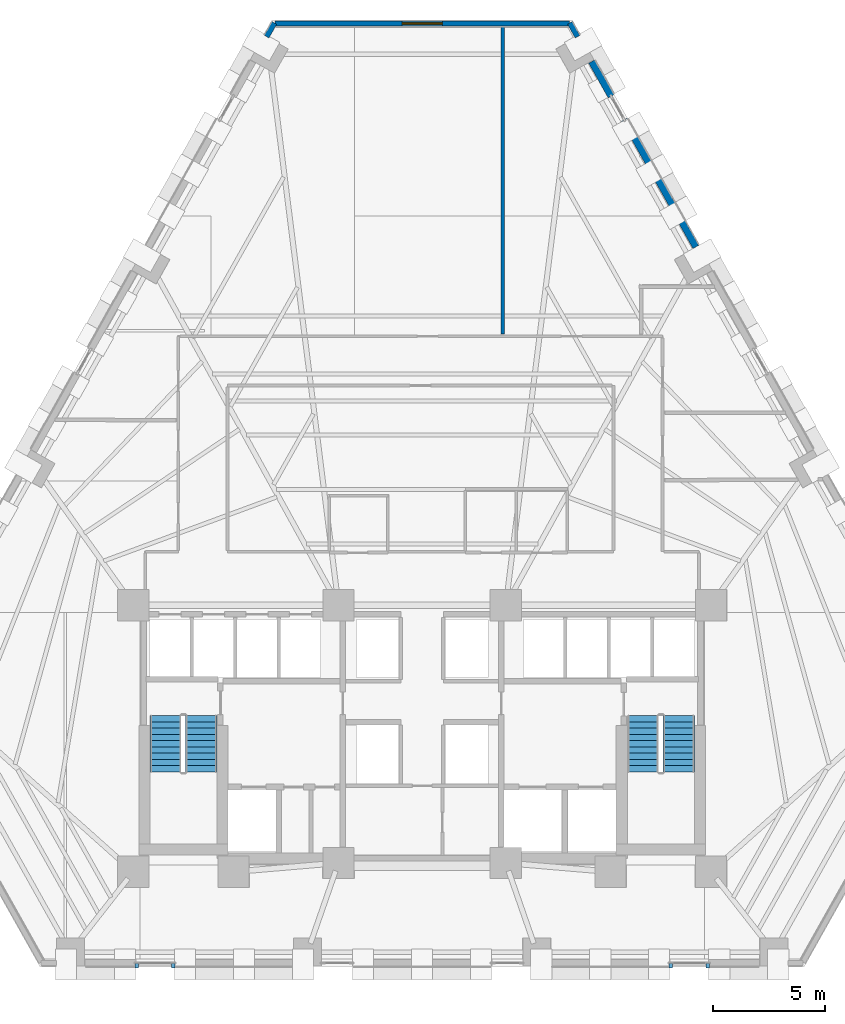
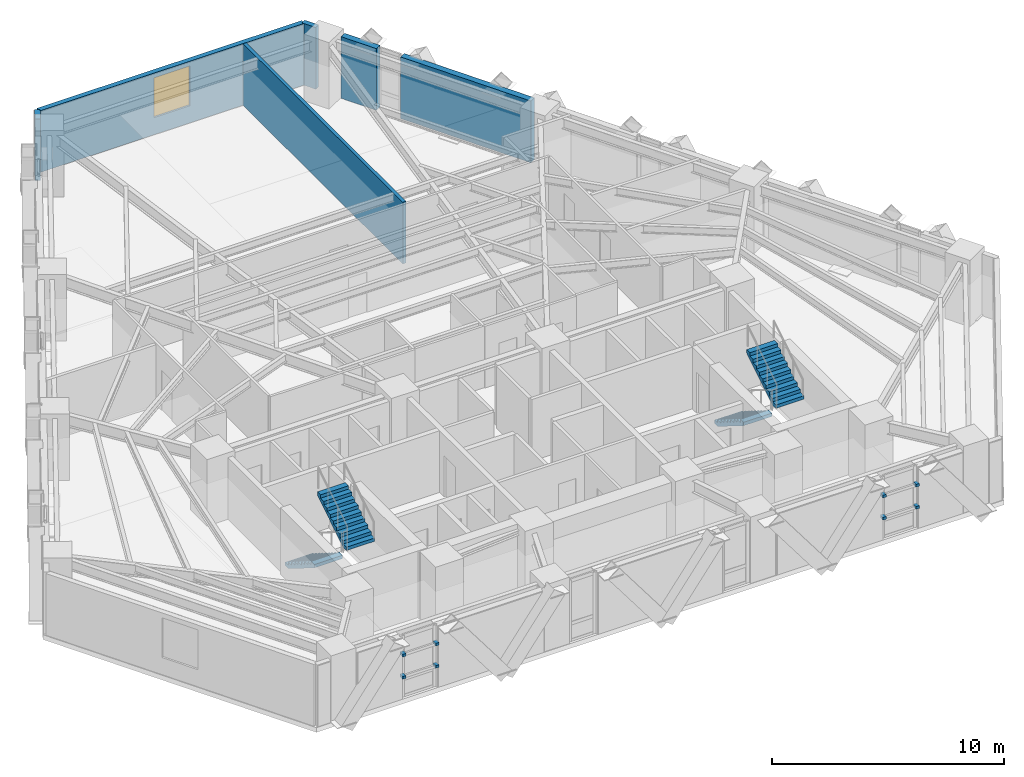
# One storey, part 9 of 13: 8 discrete accessories, 6 walls, 4 stair flights, 1 window, 1 opening, 2 elements without a shape of their own.
"""IFC4 building model written with IfcOpenShell, lengths in metres."""

from ifc_helpers import new_model, si_unit, direction, frame, frame_2d, origin, origin_2d, place, context, subcontext, project, spatial, polyline, rectangle, outline, extrude, material, layer, layer_set, type_object, element, fill, aggregate, save


model = new_model("IFC4")

# Units and contexts
model_context = context("Model", 3, precision=1e-05, world=origin(), true_north=direction((0.0, 1.0)))
body_context = subcontext(model_context, "Body", "Model", "MODEL_VIEW")
ifc_project = project(units=[si_unit("LENGTHUNIT", "METRE"), si_unit("AREAUNIT", "SQUARE_METRE"), si_unit("VOLUMEUNIT", "CUBIC_METRE"), si_unit("PLANEANGLEUNIT", "RADIAN"), si_unit("MASSUNIT", "GRAM", prefix="KILO")], contexts=[model_context])

# Site, building, storey
site_placement = place(None, origin())
site = spatial("IfcSite", under=ifc_project, at=site_placement, CompositionType="ELEMENT")
building_placement = place(site_placement, origin())
building = spatial("IfcBuilding", under=site, at=building_placement, Name="Quenlor Broadcast Tower", CompositionType="ELEMENT")
storey_placement = place(building_placement, frame((0.0, 0.0, 48.60009765625)))
storey = spatial("IfcBuildingStorey", under=building, at=storey_placement, Name="L12", CompositionType="ELEMENT", Elevation=48.60009765625)

# Walls
ifc_material_1 = material(Name="Gypsum Fireboard Partition", Category="other")
ifc_layer_1 = layer(ifc_material_1, 0.159912109375)
ifc_layer_set_1 = layer_set([ifc_layer_1], Name="Fire Rated Shaft and Corridor Partition 160")
wall_type_1 = type_object("IfcWallType", Name="Fire Rated Shaft and Corridor Partition 160", PredefinedType="PARTITIONING", material=ifc_layer_set_1)
wall_1_placement = place(storey_placement, frame((3.6201171875, 21.14990234375, 0.0), z_axis=(0.0, 0.0, 1.0), x_axis=(0.0, -1.0, 0.0)))
element("IfcWall", 1, at=wall_1_placement, inside=storey, type_object=wall_type_1, Name="L12 Interior Wall PW-DV-01", PredefinedType="PARTITIONING", context=body_context, shape_type="SweptSolid", body=[
    extrude(rectangle(XDim=13.789794921875, YDim=0.159912109375, at=frame_2d((6.89501953125, 0.0))), origin(), (0.0, 0.0, 1.0), 3.25),
])
ifc_material_2 = material(Name="Precast concrete C40/50", Category="concrete")
ifc_layer_2 = layer(ifc_material_2, 0.239990234375)
ifc_layer_set_2 = layer_set([ifc_layer_2], Name="Terrace Threshold Precast Concrete C40/50 Wall 240")
wall_type_2 = type_object("IfcWallType", Name="Terrace Threshold Precast Concrete C40/50 Wall 240", PredefinedType="STANDARD", material=ifc_layer_set_2)
for number, where, z_axis, x_axis, name in (
    (2, (6.621826171875, 21.30126953125, 0.0), (0.0, 0.0, 1.0), (0.490261239633, -0.871575537125, 0.0), "L12 Exterior Wall L12-SHD-NES0"),
    (3, (-6.968994140625, 20.68408203125, 0.0), (0.0, 0.0, 1.0), (0.490261239633, 0.871575537125, 0.0), "L12 Exterior Wall L12-SHD-NWS1"),
):
    element("IfcWall", number, at=place(storey_placement, frame(where, z_axis=z_axis, x_axis=x_axis)), inside=storey, type_object=wall_type_2, Name=name, PredefinedType="STANDARD", context=body_context, shape_type="SweptSolid", body=[
        extrude(rectangle(XDim=0.7080078125, YDim=0.239990234375, at=frame_2d((0.35400390625, 0.0))), origin(), (0.0, 0.0, 1.0), 3.25),
    ])

# Wall, opening, window
wall_2_placement = place(storey_placement, frame((6.598388671875, 21.27197265625, 0.0), z_axis=(0.0, 0.0, 1.0), x_axis=(-1.0, 0.0, 0.0)))
wall_2 = element("IfcWall", 4, at=wall_2_placement, inside=storey, type_object=wall_type_2, Name="L12 Exterior Wall L12-CNR-02", PredefinedType="STANDARD", context=body_context, shape_type="SweptSolid", body=[
    extrude(rectangle(XDim=13.186767578125, YDim=0.239990234375, at=frame_2d((6.59326171875, 0.0))), origin(), (0.0, 0.0, 1.0), 3.25),
])
opening_placement = place(wall_2_placement, frame((5.693115234375, 0.0, 0.89990234375)))
opening = element("IfcOpeningElement", 5, at=opening_placement, cuts=wall_2, Name="Opening WN-1", PredefinedType="OPENING", context=body_context, shape_type="SweptSolid", body=[
    extrude(rectangle(XDim=1.800048828125, YDim=2.10009765625, at=frame_2d((0.89990234375, 1.050048828125))), frame((0.0, 0.1298828125, 0.0), z_axis=(0.0, -1.0, 0.0), x_axis=(1.0, 0.0, 0.0)), (0.0, 0.0, 1.0), 0.260009765625),
])
ifc_material_3 = material(Name="Thermally Broken Aluminium and Low-E Glass", Category="aluminium")
window_type = type_object("IfcWindowType", Name="Tower Acoustic Vision Window 1800x2100", PartitioningType="SINGLE_PANEL", PredefinedType="WINDOW", material=ifc_material_3)
window_placement = place(opening_placement, origin())
window = element("IfcWindow", 6, at=window_placement, inside=storey, type_object=window_type, Name="L12 Corner Chamfer Window 2", OverallHeight=2.10009765625, OverallWidth=1.800048828125, PartitioningType="SINGLE_PANEL", PredefinedType="WINDOW", context=body_context, shape_type="SweptSolid", body=[
    extrude(rectangle(XDim=1.800048828125, YDim=2.10009765625, at=frame_2d((0.89990234375, 1.050048828125))), frame((0.0, 0.030029296875, 0.0), z_axis=(0.0, -1.0, 0.0), x_axis=(1.0, 0.0, 0.0)), (0.0, 0.0, 1.0), 0.06005859375),
])
fill(opening, window)

# Walls
ifc_material_4 = material(Name="Precast concrete C40/50", Category="concrete")
ifc_layer_3 = layer(ifc_material_4, 0.300048828125)
ifc_layer_set_3 = layer_set([ifc_layer_3], Name="Terracotta Precast Concrete C40/50 Spandrel Wall 300")
wall_type_3 = type_object("IfcWallType", Name="Terracotta Precast Concrete C40/50 Spandrel Wall 300", PredefinedType="STANDARD", material=ifc_layer_set_3)
wall_3_placement = place(storey_placement, frame((7.5966796875, 19.568603515625, 0.0), z_axis=(0.0, 0.0, 1.0), x_axis=(0.490183206509, -0.871619426158, 0.0)))
element("IfcWall", 7, at=wall_3_placement, inside=storey, type_object=wall_type_3, Name="L12 Exterior Wall L12-NEA-SP1", PredefinedType="STANDARD", context=body_context, shape_type="SweptSolid", body=[
    extrude(rectangle(XDim=1.782470703125, YDim=0.300048828125, at=frame_2d((0.89111328125, 0.0))), origin(), (0.0, 0.0, 1.0), 3.25),
])
wall_4_placement = place(storey_placement, frame((9.0634765625, 16.9609375, 0.0), z_axis=(0.0, 0.0, 1.0), x_axis=(0.490261239633, -0.871575537125, 0.0)))
element("IfcWall", 8, at=wall_4_placement, inside=storey, type_object=wall_type_3, Name="L12 Exterior Wall L12-NEA-SP2", PredefinedType="STANDARD", context=body_context, shape_type="SweptSolid", body=[
    extrude(rectangle(XDim=6.54345703125, YDim=0.300048828125, at=frame_2d((3.271728515625, 0.0))), origin(), (0.0, 0.0, 1.0), 3.25),
])

# Stair, stair flights
ifc_material_5 = material(Name="Precast concrete C40/50", Category="concrete")
stair_type = type_object("IfcStairType", Name="Precast Concrete C40/50 Dogleg Stair H350", PredefinedType="HALF_TURN_STAIR", material=ifc_material_5)
stair_1_placement = place(storey_placement, origin())
stair_1 = element("IfcStair", 9, at=stair_1_placement, inside=storey, type_object=stair_type, Name="L12 West Core Fire-Isolated Exit Stair ST-1", PredefinedType="HALF_TURN_STAIR")
ifc_material_6 = material(Name="Precast concrete C40/50", Category="concrete")
ifc_layer_4 = layer(ifc_material_6, 0.159912109375)
ifc_layer_set_4 = layer_set([ifc_layer_4], Name="Precast Concrete C40/50 Stair Flight H350")
stair_flight_type = type_object("IfcStairFlightType", Name="Precast Concrete C40/50 Stair Flight H350", PredefinedType="STRAIGHT", material=ifc_layer_set_4)
stair_flight_1_placement = place(storey_placement, frame((-11.5, -9.75, 0.0), z_axis=(0.0, 0.0, 1.0), x_axis=(0.0, -1.0, 0.0)))
stair_flight_1 = element("IfcStairFlight", 10, at=stair_flight_1_placement, type_object=stair_flight_type, Name="ST-1 flight 1", NumberOfRisers=10, NumberOfTreads=9, PredefinedType="STRAIGHT", RiserHeight=0.175, TreadLength=0.28, context=body_context, shape_type="SweptSolid", body=[
    extrude(outline(polyline([(0.0, 0.0), (0.0, 0.175048828125), (0.280029296875, 0.175048828125), (0.280029296875, 0.35009765625), (0.56005859375, 0.35009765625), (0.56005859375, 0.52490234375), (0.840087890625, 0.52490234375), (0.840087890625, 0.699951171875), (1.1201171875, 0.699951171875), (1.1201171875, 0.875), (1.39990234375, 0.875), (1.39990234375, 1.050048828125), (1.679931640625, 1.050048828125), (1.679931640625, 1.22509765625), (1.9599609375, 1.22509765625), (1.9599609375, 1.39990234375), (2.239990234375, 1.39990234375), (2.239990234375, 1.574951171875), (2.52001953125, 1.574951171875), (2.52001953125, 1.75), (2.52001953125, 1.398193359375), (0.28271484375, 0.0), (0.0, 0.0)])), frame((0.0, 0.699951171875, 0.0), z_axis=(0.0, -1.0, 0.0), x_axis=(1.0, 0.0, 0.0)), (0.0, 0.0, 1.0), 1.39990234375),
])
stair_flight_2_placement = place(storey_placement, frame((-9.89990234375, -12.27001953125, 1.75), z_axis=(0.0, 0.0, 1.0), x_axis=(0.0, 1.0, 0.0)))
stair_flight_2 = element("IfcStairFlight", 11, at=stair_flight_2_placement, type_object=stair_flight_type, Name="ST-1 flight 2", NumberOfRisers=10, NumberOfTreads=9, PredefinedType="STRAIGHT", RiserHeight=0.175, TreadLength=0.28, context=body_context, shape_type="SweptSolid", body=[
    extrude(outline(polyline([(0.0, 0.0), (0.0, 0.175048828125), (0.280029296875, 0.175048828125), (0.280029296875, 0.35009765625), (0.56005859375, 0.35009765625), (0.56005859375, 0.52490234375), (0.840087890625, 0.52490234375), (0.840087890625, 0.699951171875), (1.1201171875, 0.699951171875), (1.1201171875, 0.875), (1.39990234375, 0.875), (1.39990234375, 1.050048828125), (1.679931640625, 1.050048828125), (1.679931640625, 1.22509765625), (1.9599609375, 1.22509765625), (1.9599609375, 1.39990234375), (2.239990234375, 1.39990234375), (2.239990234375, 1.574951171875), (2.52001953125, 1.574951171875), (2.52001953125, 1.75), (2.52001953125, 1.398193359375), (0.28271484375, 0.0), (0.0, 0.0)])), frame((0.0, 0.699951171875, 0.0), z_axis=(0.0, -1.0, 0.0), x_axis=(1.0, 0.0, 0.0)), (0.0, 0.0, 1.0), 1.39990234375),
])
aggregate(stair_1, [stair_flight_1, stair_flight_2])

stair_2_placement = place(storey_placement, origin())
stair_2 = element("IfcStair", 12, at=stair_2_placement, inside=storey, type_object=stair_type, Name="L12 East Core Fire-Isolated Exit Stair ST-2", PredefinedType="HALF_TURN_STAIR")
stair_flight_3_placement = place(storey_placement, frame((9.89990234375, -9.75, 0.0), z_axis=(0.0, 0.0, 1.0), x_axis=(0.0, -1.0, 0.0)))
stair_flight_3 = element("IfcStairFlight", 13, at=stair_flight_3_placement, type_object=stair_flight_type, Name="ST-2 flight 1", NumberOfRisers=10, NumberOfTreads=9, PredefinedType="STRAIGHT", RiserHeight=0.175, TreadLength=0.28, context=body_context, shape_type="SweptSolid", body=[
    extrude(outline(polyline([(0.0, 0.0), (0.0, 0.175048828125), (0.280029296875, 0.175048828125), (0.280029296875, 0.35009765625), (0.56005859375, 0.35009765625), (0.56005859375, 0.52490234375), (0.840087890625, 0.52490234375), (0.840087890625, 0.699951171875), (1.1201171875, 0.699951171875), (1.1201171875, 0.875), (1.39990234375, 0.875), (1.39990234375, 1.050048828125), (1.679931640625, 1.050048828125), (1.679931640625, 1.22509765625), (1.9599609375, 1.22509765625), (1.9599609375, 1.39990234375), (2.239990234375, 1.39990234375), (2.239990234375, 1.574951171875), (2.52001953125, 1.574951171875), (2.52001953125, 1.75), (2.52001953125, 1.398193359375), (0.28271484375, 0.0), (0.0, 0.0)])), frame((0.0, 0.699951171875, 0.0), z_axis=(0.0, -1.0, 0.0), x_axis=(1.0, 0.0, 0.0)), (0.0, 0.0, 1.0), 1.39990234375),
])
stair_flight_4_placement = place(storey_placement, frame((11.5, -12.27001953125, 1.75), z_axis=(0.0, 0.0, 1.0), x_axis=(0.0, 1.0, 0.0)))
stair_flight_4 = element("IfcStairFlight", 14, at=stair_flight_4_placement, type_object=stair_flight_type, Name="ST-2 flight 2", NumberOfRisers=10, NumberOfTreads=9, PredefinedType="STRAIGHT", RiserHeight=0.175, TreadLength=0.28, context=body_context, shape_type="SweptSolid", body=[
    extrude(outline(polyline([(0.0, 0.0), (0.0, 0.175048828125), (0.280029296875, 0.175048828125), (0.280029296875, 0.35009765625), (0.56005859375, 0.35009765625), (0.56005859375, 0.52490234375), (0.840087890625, 0.52490234375), (0.840087890625, 0.699951171875), (1.1201171875, 0.699951171875), (1.1201171875, 0.875), (1.39990234375, 0.875), (1.39990234375, 1.050048828125), (1.679931640625, 1.050048828125), (1.679931640625, 1.22509765625), (1.9599609375, 1.22509765625), (1.9599609375, 1.39990234375), (2.239990234375, 1.39990234375), (2.239990234375, 1.574951171875), (2.52001953125, 1.574951171875), (2.52001953125, 1.75), (2.52001953125, 1.398193359375), (0.28271484375, 0.0), (0.0, 0.0)])), frame((0.0, 0.699951171875, 0.0), z_axis=(0.0, -1.0, 0.0), x_axis=(1.0, 0.0, 0.0)), (0.0, 0.0, 1.0), 1.39990234375),
])
aggregate(stair_2, [stair_flight_3, stair_flight_4])

# Discrete accessories
ifc_material_7 = material(Name="Aluminium 6063-T6", Category="aluminium")
discrete_accessory_type = type_object("IfcDiscreteAccessoryType", Name="Stainless Mullion Baguette Support Bracket", PredefinedType="BRACKET", material=ifc_material_7)
for number, where, z_axis, x_axis, name in (
    (15, (12.794921875, -20.949951171875, 1.10009765625), (0.0, 0.0, 1.0), (-1.0, 0.0, 0.0), "L12 Baguette Mullion Bracket 1.1"),
    (16, (11.146484375, -20.949951171875, 1.10009765625), (0.0, 0.0, 1.0), (-1.0, 0.0, 0.0), "L12 Baguette Mullion Bracket 1.2"),
    (17, (12.794921875, -20.949951171875, 2.27001953125), (0.0, 0.0, 1.0), (-1.0, 0.0, 0.0), "L12 Baguette Mullion Bracket 2.1"),
    (18, (11.146484375, -20.949951171875, 2.27001953125), (0.0, 0.0, 1.0), (-1.0, 0.0, 0.0), "L12 Baguette Mullion Bracket 2.2"),
    (19, (-11.146484375, -20.949951171875, 1.10009765625), (0.0, 0.0, 1.0), (-1.0, 0.0, 0.0), "L12 Baguette Mullion Bracket 1.1"),
    (20, (-12.794921875, -20.949951171875, 1.10009765625), (0.0, 0.0, 1.0), (-1.0, 0.0, 0.0), "L12 Baguette Mullion Bracket 1.2"),
    (21, (-11.146484375, -20.949951171875, 2.27001953125), (0.0, 0.0, 1.0), (-1.0, 0.0, 0.0), "L12 Baguette Mullion Bracket 2.1"),
    (22, (-12.794921875, -20.949951171875, 2.27001953125), (0.0, 0.0, 1.0), (-1.0, 0.0, 0.0), "L12 Baguette Mullion Bracket 2.2"),
):
    element("IfcDiscreteAccessory", number, at=place(storey_placement, frame(where, z_axis=z_axis, x_axis=x_axis)), inside=storey, type_object=discrete_accessory_type, Name=name, PredefinedType="BRACKET", context=body_context, shape_type="SweptSolid", body=[
        extrude(rectangle(XDim=0.159912109375, YDim=0.239990234375, at=origin_2d()), origin(), (0.0, 0.0, 1.0), 0.139892578125),
    ])

save(model, "model.ifc")
